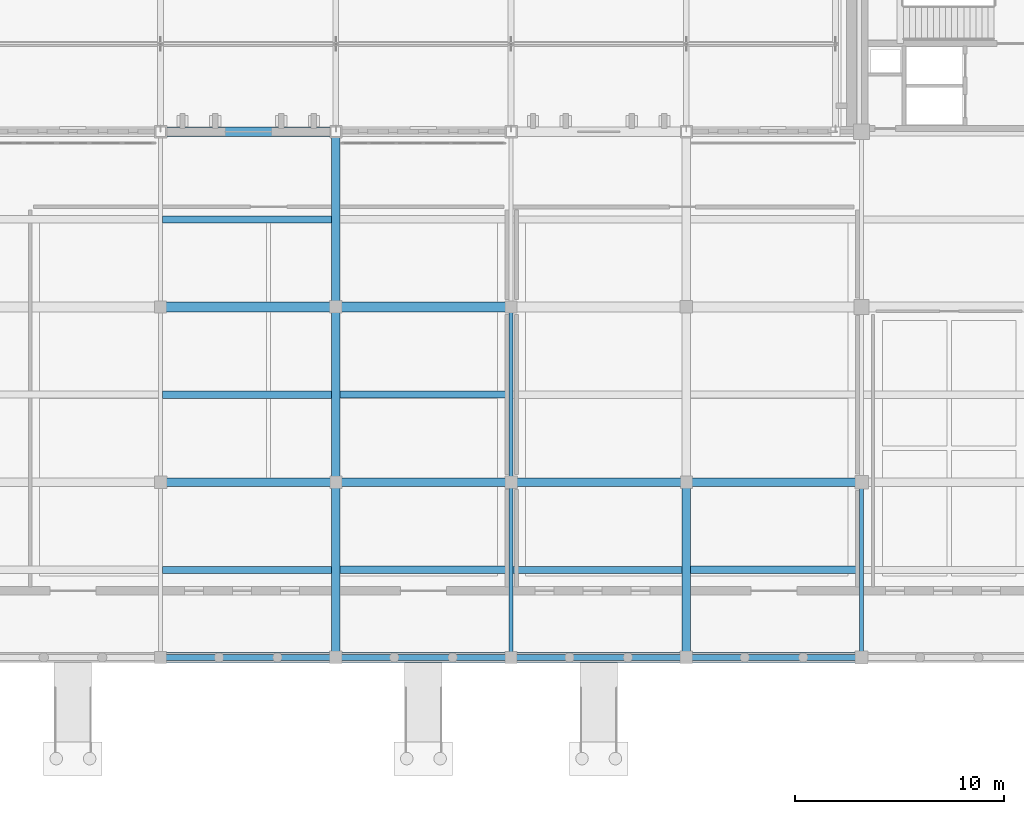
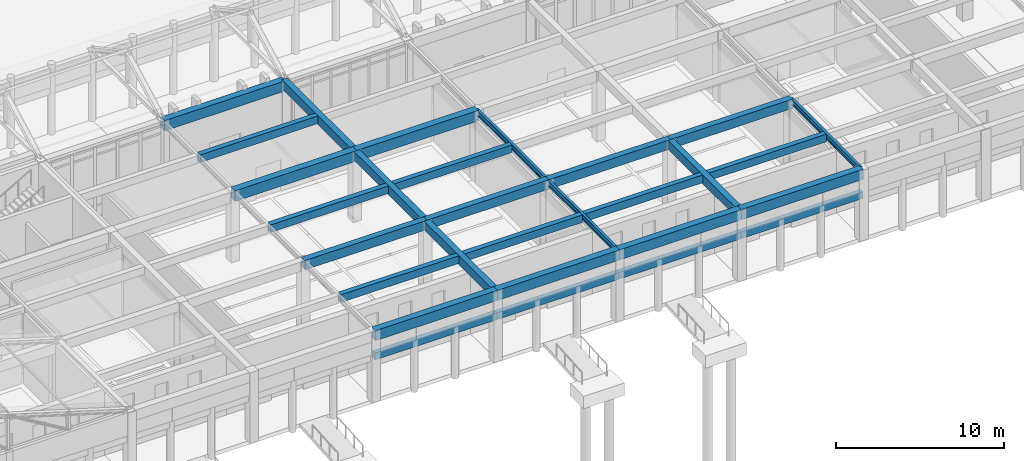
# One storey, part 35 of 143: 29 beams.
"""IFC4 building model written with IfcOpenShell, lengths in metres."""

from ifc_helpers import new_model, si_unit, direction, frame, origin, origin_2d, place, context, subcontext, project, spatial, rectangle, i_section, extrude, material, material_profile, profile_set, type_object, element, save


model = new_model("IFC4")

# Units and contexts
model_context = context("Model", 3, precision=1e-05, world=origin(), true_north=direction((0.0, 1.0)))
body_context = subcontext(model_context, "Body", "Model", "MODEL_VIEW")
ifc_project = project(units=[si_unit("LENGTHUNIT", "METRE"), si_unit("AREAUNIT", "SQUARE_METRE"), si_unit("VOLUMEUNIT", "CUBIC_METRE"), si_unit("PLANEANGLEUNIT", "RADIAN"), si_unit("MASSUNIT", "GRAM", prefix="KILO")], contexts=[model_context])

# Site, building, storey
site_placement = place(None, origin())
site = spatial("IfcSite", under=ifc_project, at=site_placement, CompositionType="ELEMENT")
building_placement = place(site_placement, origin())
building = spatial("IfcBuilding", under=site, at=building_placement, Name="Kveldsbrygga Polytechnic", CompositionType="ELEMENT")
storey_placement = place(building_placement, origin())
storey = spatial("IfcBuildingStorey", under=building, at=storey_placement, Name="L00", CompositionType="ELEMENT", Elevation=0.0)

# Beams
ifc_material_1 = material(Name="Concrete C35/45", Category="concrete")
ifc_material_profile_1 = material_profile(ifc_material_1, rectangle(XDim=0.39990234375, YDim=0.64990234375, at=origin_2d()), Name="RC 400x650")
ifc_profile_set_1 = profile_set([ifc_material_profile_1], Name="Concrete C35/45")
beam_type_1 = type_object("IfcBeamType", Name="BM-RC-400x650", PredefinedType="BEAM", material=ifc_profile_set_1)
beam_1_placement = place(storey_placement, frame((100.800048828125, 0.0, 4.81494140625), z_axis=(0.0, 1.0, 0.0), x_axis=(-1.0, 0.0, 0.0)))
element("IfcBeam", 1, at=beam_1_placement, inside=storey, type_object=beam_type_1, Name="Primary Beam BMY-L00-12-00to01", PredefinedType="BEAM", context=body_context, shape_type="SweptSolid", body=[
    extrude(rectangle(XDim=0.39990234375, YDim=0.64990234375, at=origin_2d()), origin(), (0.0, 0.0, 1.0), 8.39990234375),
])
beam_2_placement = place(storey_placement, frame((100.800048828125, 8.39990234375, 4.81494140625), z_axis=(0.0, 1.0, 0.0), x_axis=(-1.0, 0.0, 0.0)))
element("IfcBeam", 2, at=beam_2_placement, inside=storey, type_object=beam_type_1, Name="Primary Beam BMY-L00-12-01to02", PredefinedType="BEAM", context=body_context, shape_type="SweptSolid", body=[
    extrude(rectangle(XDim=0.39990234375, YDim=0.64990234375, at=origin_2d()), origin(), (0.0, 0.0, 1.0), 8.400146484375),
])
for number, where, z_axis, x_axis, name in (
    (3, (100.800048828125, 16.800048828125, 4.81494140625), (0.0, 1.0, 0.0), (-1.0, 0.0, 0.0), "Primary Beam BMY-L00-12-02to03"),
    (4, (117.60009765625, 0.0, 4.81494140625), (0.0, 1.0, 0.0), (-1.0, 0.0, 0.0), "Primary Beam BMY-L00-14-00to01"),
):
    element("IfcBeam", number, at=place(storey_placement, frame(where, z_axis=z_axis, x_axis=x_axis)), inside=storey, type_object=beam_type_1, Name=name, PredefinedType="BEAM", context=body_context, shape_type="SweptSolid", body=[
        extrude(rectangle(XDim=0.39990234375, YDim=0.64990234375, at=origin_2d()), origin(), (0.0, 0.0, 1.0), 8.39990234375),
    ])
ifc_material_profile_2 = material_profile(ifc_material_1, rectangle(XDim=0.419921875, YDim=0.679931640625, at=origin_2d()), Name="RC 420x680")
ifc_profile_set_2 = profile_set([ifc_material_profile_2], Name="Concrete C35/45")
beam_type_2 = type_object("IfcBeamType", Name="BM-RC-420x680", PredefinedType="BEAM", material=ifc_profile_set_2)
beam_3_placement = place(storey_placement, frame((92.39990234375, 8.39990234375, 4.800048828125), z_axis=(1.0, 0.0, 0.0), x_axis=(0.0, 1.0, 0.0)))
element("IfcBeam", 5, at=beam_3_placement, inside=storey, type_object=beam_type_2, Name="Primary Beam BMX-L00-11to12-01", PredefinedType="BEAM", context=body_context, shape_type="SweptSolid", body=[
    extrude(rectangle(XDim=0.419921875, YDim=0.679931640625, at=origin_2d()), origin(), (0.0, 0.0, 1.0), 8.400146484375),
])
beam_4_placement = place(storey_placement, frame((100.800048828125, 8.39990234375, 4.800048828125), z_axis=(1.0, 0.0, 0.0), x_axis=(0.0, 1.0, 0.0)))
element("IfcBeam", 6, at=beam_4_placement, inside=storey, type_object=beam_type_2, Name="Primary Beam BMX-L00-12to13-01", PredefinedType="BEAM", context=body_context, shape_type="SweptSolid", body=[
    extrude(rectangle(XDim=0.419921875, YDim=0.679931640625, at=origin_2d()), origin(), (0.0, 0.0, 1.0), 8.39990234375),
])
beam_5_placement = place(storey_placement, frame((109.199951171875, 8.39990234375, 4.800048828125), z_axis=(1.0, 0.0, 0.0), x_axis=(0.0, 1.0, 0.0)))
element("IfcBeam", 7, at=beam_5_placement, inside=storey, type_object=beam_type_2, Name="Primary Beam BMX-L00-13to14-01", PredefinedType="BEAM", context=body_context, shape_type="SweptSolid", body=[
    extrude(rectangle(XDim=0.419921875, YDim=0.679931640625, at=origin_2d()), origin(), (0.0, 0.0, 1.0), 8.400146484375),
])
beam_6_placement = place(storey_placement, frame((117.60009765625, 8.39990234375, 4.800048828125), z_axis=(1.0, 0.0, 0.0), x_axis=(0.0, 1.0, 0.0)))
element("IfcBeam", 8, at=beam_6_placement, inside=storey, type_object=beam_type_2, Name="Primary Beam BMX-L00-14to15-01", PredefinedType="BEAM", context=body_context, shape_type="SweptSolid", body=[
    extrude(rectangle(XDim=0.419921875, YDim=0.679931640625, at=origin_2d()), origin(), (0.0, 0.0, 1.0), 8.39990234375),
])
ifc_material_profile_3 = material_profile(ifc_material_1, rectangle(XDim=0.449951171875, YDim=0.75, at=origin_2d()), Name="RC 450x750")
ifc_profile_set_3 = profile_set([ifc_material_profile_3], Name="Concrete C35/45")
beam_type_3 = type_object("IfcBeamType", Name="BM-RC-450x750", PredefinedType="BEAM", material=ifc_profile_set_3)
beam_7_placement = place(storey_placement, frame((92.39990234375, 25.199951171875, 4.764892578125), z_axis=(1.0, 0.0, 0.0), x_axis=(0.0, 1.0, 0.0)))
element("IfcBeam", 9, at=beam_7_placement, inside=storey, type_object=beam_type_3, Name="Primary Beam BMX-L00-11to12-03", PredefinedType="BEAM", context=body_context, shape_type="SweptSolid", body=[
    extrude(rectangle(XDim=0.449951171875, YDim=0.75, at=origin_2d()), origin(), (0.0, 0.0, 1.0), 8.400146484375),
])
ifc_material_profile_4 = material_profile(ifc_material_1, rectangle(XDim=0.4599609375, YDim=0.739990234375, at=origin_2d()), Name="RC 460x740")
ifc_profile_set_4 = profile_set([ifc_material_profile_4], Name="Concrete C35/45")
beam_type_4 = type_object("IfcBeamType", Name="BM-RC-460x740", PredefinedType="BEAM", material=ifc_profile_set_4)
beam_8_placement = place(storey_placement, frame((92.39990234375, 0.0, 4.77001953125), z_axis=(1.0, 0.0, 0.0), x_axis=(0.0, 1.0, 0.0)))
element("IfcBeam", 10, at=beam_8_placement, inside=storey, type_object=beam_type_4, Name="Primary Beam BMX-L00-11to12-00", PredefinedType="BEAM", context=body_context, shape_type="SweptSolid", body=[
    extrude(rectangle(XDim=0.4599609375, YDim=0.739990234375, at=origin_2d()), origin(), (0.0, 0.0, 1.0), 8.400146484375),
])
beam_9_placement = place(storey_placement, frame((100.800048828125, 0.0, 4.77001953125), z_axis=(1.0, 0.0, 0.0), x_axis=(0.0, 1.0, 0.0)))
element("IfcBeam", 11, at=beam_9_placement, inside=storey, type_object=beam_type_4, Name="Primary Beam BMX-L00-12to13-00", PredefinedType="BEAM", context=body_context, shape_type="SweptSolid", body=[
    extrude(rectangle(XDim=0.4599609375, YDim=0.739990234375, at=origin_2d()), origin(), (0.0, 0.0, 1.0), 8.39990234375),
])
beam_10_placement = place(storey_placement, frame((109.199951171875, 0.0, 4.77001953125), z_axis=(1.0, 0.0, 0.0), x_axis=(0.0, 1.0, 0.0)))
element("IfcBeam", 12, at=beam_10_placement, inside=storey, type_object=beam_type_4, Name="Primary Beam BMX-L00-13to14-00", PredefinedType="BEAM", context=body_context, shape_type="SweptSolid", body=[
    extrude(rectangle(XDim=0.4599609375, YDim=0.739990234375, at=origin_2d()), origin(), (0.0, 0.0, 1.0), 8.400146484375),
])
beam_11_placement = place(storey_placement, frame((117.60009765625, 0.0, 4.77001953125), z_axis=(1.0, 0.0, 0.0), x_axis=(0.0, 1.0, 0.0)))
element("IfcBeam", 13, at=beam_11_placement, inside=storey, type_object=beam_type_4, Name="Primary Beam BMX-L00-14to15-00", PredefinedType="BEAM", context=body_context, shape_type="SweptSolid", body=[
    extrude(rectangle(XDim=0.4599609375, YDim=0.739990234375, at=origin_2d()), origin(), (0.0, 0.0, 1.0), 8.39990234375),
])
ifc_material_profile_5 = material_profile(ifc_material_1, rectangle(XDim=0.47998046875, YDim=0.780029296875, at=origin_2d()), Name="RC 480x780")
ifc_profile_set_5 = profile_set([ifc_material_profile_5], Name="Concrete C35/45")
beam_type_5 = type_object("IfcBeamType", Name="BM-RC-480x780", PredefinedType="BEAM", material=ifc_profile_set_5)
beam_12_placement = place(storey_placement, frame((92.39990234375, 16.800048828125, 4.75), z_axis=(1.0, 0.0, 0.0), x_axis=(0.0, 1.0, 0.0)))
element("IfcBeam", 14, at=beam_12_placement, inside=storey, type_object=beam_type_5, Name="Primary Beam BMX-L00-11to12-02", PredefinedType="BEAM", context=body_context, shape_type="SweptSolid", body=[
    extrude(rectangle(XDim=0.47998046875, YDim=0.780029296875, at=origin_2d()), origin(), (0.0, 0.0, 1.0), 8.400146484375),
])
beam_13_placement = place(storey_placement, frame((100.800048828125, 16.800048828125, 4.75), z_axis=(1.0, 0.0, 0.0), x_axis=(0.0, 1.0, 0.0)))
element("IfcBeam", 15, at=beam_13_placement, inside=storey, type_object=beam_type_5, Name="Primary Beam BMX-L00-12to13-02", PredefinedType="BEAM", context=body_context, shape_type="SweptSolid", body=[
    extrude(rectangle(XDim=0.47998046875, YDim=0.780029296875, at=origin_2d()), origin(), (0.0, 0.0, 1.0), 8.39990234375),
])
ifc_material_2 = material(Name="Steel S355", Category="steel")
ifc_material_profile_6 = material_profile(ifc_material_2, i_section(OverallWidth=0.179931640625, OverallDepth=0.39990234375, WebThickness=0.008544921875, FlangeThickness=0.013427734375, FilletRadius=0.02099609375, at=origin_2d()), Name="IPE 400")
ifc_profile_set_6 = profile_set([ifc_material_profile_6], Name="Steel S355")
beam_type_6 = type_object("IfcBeamType", Name="BM-STL-IPE400", PredefinedType="BEAM", material=ifc_profile_set_6)
beam_14_placement = place(storey_placement, frame((109.199951171875, 0.0, 4.93994140625), z_axis=(0.0, 1.0, 0.0), x_axis=(-1.0, 0.0, 0.0)))
element("IfcBeam", 16, at=beam_14_placement, inside=storey, type_object=beam_type_6, Name="Primary Beam BMY-L00-13-00to01", PredefinedType="BEAM", context=body_context, shape_type="SweptSolid", body=[
    extrude(i_section(OverallWidth=0.179931640625, OverallDepth=0.39990234375, WebThickness=0.008544921875, FlangeThickness=0.013427734375, FilletRadius=0.02099609375, at=origin_2d()), origin(), (0.0, 0.0, 1.0), 8.39990234375),
])
beam_15_placement = place(storey_placement, frame((109.199951171875, 8.39990234375, 4.93994140625), z_axis=(0.0, 1.0, 0.0), x_axis=(-1.0, 0.0, 0.0)))
element("IfcBeam", 17, at=beam_15_placement, inside=storey, type_object=beam_type_6, Name="Primary Beam BMY-L00-13-01to02", PredefinedType="BEAM", context=body_context, shape_type="SweptSolid", body=[
    extrude(i_section(OverallWidth=0.179931640625, OverallDepth=0.39990234375, WebThickness=0.008544921875, FlangeThickness=0.013427734375, FilletRadius=0.02099609375, at=origin_2d()), origin(), (0.0, 0.0, 1.0), 8.400146484375),
])
beam_16_placement = place(storey_placement, frame((126.0, 0.0, 4.93994140625), z_axis=(0.0, 1.0, 0.0), x_axis=(-1.0, 0.0, 0.0)))
element("IfcBeam", 18, at=beam_16_placement, inside=storey, type_object=beam_type_6, Name="Primary Beam BMY-L00-15-00to01", PredefinedType="BEAM", context=body_context, shape_type="SweptSolid", body=[
    extrude(i_section(OverallWidth=0.179931640625, OverallDepth=0.39990234375, WebThickness=0.008544921875, FlangeThickness=0.013427734375, FilletRadius=0.02099609375, at=origin_2d()), origin(), (0.0, 0.0, 1.0), 8.39990234375),
])
ifc_material_profile_7 = material_profile(ifc_material_1, rectangle(XDim=0.340087890625, YDim=0.56005859375, at=origin_2d()), Name="RC 340x560")
ifc_profile_set_7 = profile_set([ifc_material_profile_7], Name="Concrete C35/45")
beam_type_7 = type_object("IfcBeamType", Name="JST-RC-340x560", PredefinedType="JOIST", material=ifc_profile_set_7)
for number, where, z_axis, x_axis, name in (
    (19, (92.489990234375, 4.199951171875, 4.860107421875), (1.0, 0.0, 0.0), (0.0, 1.0, 0.0), "Secondary Joist JST-L00-11-00"),
    (20, (92.489990234375, 21.0, 4.860107421875), (1.0, 0.0, 0.0), (0.0, 1.0, 0.0), "Secondary Joist JST-L00-11-02"),
    (21, (101.0, 12.60009765625, 4.860107421875), (1.0, 0.0, 0.0), (0.0, 1.0, 0.0), "Secondary Joist JST-L00-12-01"),
):
    element("IfcBeam", number, at=place(storey_placement, frame(where, z_axis=z_axis, x_axis=x_axis)), inside=storey, type_object=beam_type_7, Name=name, PredefinedType="JOIST", context=body_context, shape_type="SweptSolid", body=[
        extrude(rectangle(XDim=0.340087890625, YDim=0.56005859375, at=origin_2d()), origin(), (0.0, 0.0, 1.0), 8.110107421875),
    ])
beam_17_placement = place(storey_placement, frame((109.2900390625, 4.199951171875, 4.860107421875), z_axis=(1.0, 0.0, 0.0), x_axis=(0.0, 1.0, 0.0)))
element("IfcBeam", 22, at=beam_17_placement, inside=storey, type_object=beam_type_7, Name="Secondary Joist JST-L00-13-00", PredefinedType="JOIST", context=body_context, shape_type="SweptSolid", body=[
    extrude(rectangle(XDim=0.340087890625, YDim=0.56005859375, at=origin_2d()), origin(), (0.0, 0.0, 1.0), 8.10986328125),
])
ifc_material_profile_8 = material_profile(ifc_material_1, rectangle(XDim=0.35009765625, YDim=0.550048828125, at=origin_2d()), Name="RC 350x550")
ifc_profile_set_8 = profile_set([ifc_material_profile_8], Name="Concrete C35/45")
beam_type_8 = type_object("IfcBeamType", Name="JST-RC-350x550", PredefinedType="JOIST", material=ifc_profile_set_8)
for number, where, z_axis, x_axis, name in (
    (23, (92.489990234375, 12.60009765625, 4.864990234375), (1.0, 0.0, 0.0), (0.0, 1.0, 0.0), "Secondary Joist JST-L00-11-01"),
    (24, (101.0, 4.199951171875, 4.864990234375), (1.0, 0.0, 0.0), (0.0, 1.0, 0.0), "Secondary Joist JST-L00-12-00"),
):
    element("IfcBeam", number, at=place(storey_placement, frame(where, z_axis=z_axis, x_axis=x_axis)), inside=storey, type_object=beam_type_8, Name=name, PredefinedType="JOIST", context=body_context, shape_type="SweptSolid", body=[
        extrude(rectangle(XDim=0.35009765625, YDim=0.550048828125, at=origin_2d()), origin(), (0.0, 0.0, 1.0), 8.110107421875),
    ])
beam_18_placement = place(storey_placement, frame((117.800048828125, 4.199951171875, 4.864990234375), z_axis=(1.0, 0.0, 0.0), x_axis=(0.0, 1.0, 0.0)))
element("IfcBeam", 25, at=beam_18_placement, inside=storey, type_object=beam_type_8, Name="Secondary Joist JST-L00-14-00", PredefinedType="JOIST", context=body_context, shape_type="SweptSolid", body=[
    extrude(rectangle(XDim=0.35009765625, YDim=0.550048828125, at=origin_2d()), origin(), (0.0, 0.0, 1.0), 8.10986328125),
])
ifc_material_profile_9 = material_profile(ifc_material_1, rectangle(XDim=0.300048828125, YDim=0.5, at=origin_2d()), Name="RC 300x500")
ifc_profile_set_9 = profile_set([ifc_material_profile_9], Name="Concrete C35/45")
beam_type_9 = type_object("IfcBeamType", Name="LNT-RC-300x500", PredefinedType="LINTEL", material=ifc_profile_set_9)
beam_19_placement = place(storey_placement, frame((92.39990234375, 0.0, 3.199951171875), z_axis=(1.0, 0.0, 0.0), x_axis=(0.0, 1.0, 0.0)))
element("IfcBeam", 26, at=beam_19_placement, inside=storey, type_object=beam_type_9, Name="Harbour Colonnade Arch Lintel Beam BM-PROM-HDR-11", PredefinedType="LINTEL", context=body_context, shape_type="SweptSolid", body=[
    extrude(rectangle(XDim=0.300048828125, YDim=0.5, at=origin_2d()), origin(), (0.0, 0.0, 1.0), 8.400146484375),
])
beam_20_placement = place(storey_placement, frame((100.800048828125, 0.0, 3.199951171875), z_axis=(1.0, 0.0, 0.0), x_axis=(0.0, 1.0, 0.0)))
element("IfcBeam", 27, at=beam_20_placement, inside=storey, type_object=beam_type_9, Name="Harbour Colonnade Arch Lintel Beam BM-PROM-HDR-12", PredefinedType="LINTEL", context=body_context, shape_type="SweptSolid", body=[
    extrude(rectangle(XDim=0.300048828125, YDim=0.5, at=origin_2d()), origin(), (0.0, 0.0, 1.0), 8.39990234375),
])
beam_21_placement = place(storey_placement, frame((109.199951171875, 0.0, 3.199951171875), z_axis=(1.0, 0.0, 0.0), x_axis=(0.0, 1.0, 0.0)))
element("IfcBeam", 28, at=beam_21_placement, inside=storey, type_object=beam_type_9, Name="Harbour Colonnade Arch Lintel Beam BM-PROM-HDR-13", PredefinedType="LINTEL", context=body_context, shape_type="SweptSolid", body=[
    extrude(rectangle(XDim=0.300048828125, YDim=0.5, at=origin_2d()), origin(), (0.0, 0.0, 1.0), 8.400146484375),
])
beam_22_placement = place(storey_placement, frame((117.60009765625, 0.0, 3.199951171875), z_axis=(1.0, 0.0, 0.0), x_axis=(0.0, 1.0, 0.0)))
element("IfcBeam", 29, at=beam_22_placement, inside=storey, type_object=beam_type_9, Name="Harbour Colonnade Arch Lintel Beam BM-PROM-HDR-14", PredefinedType="LINTEL", context=body_context, shape_type="SweptSolid", body=[
    extrude(rectangle(XDim=0.300048828125, YDim=0.5, at=origin_2d()), origin(), (0.0, 0.0, 1.0), 8.39990234375),
])

save(model, "model.ifc")
